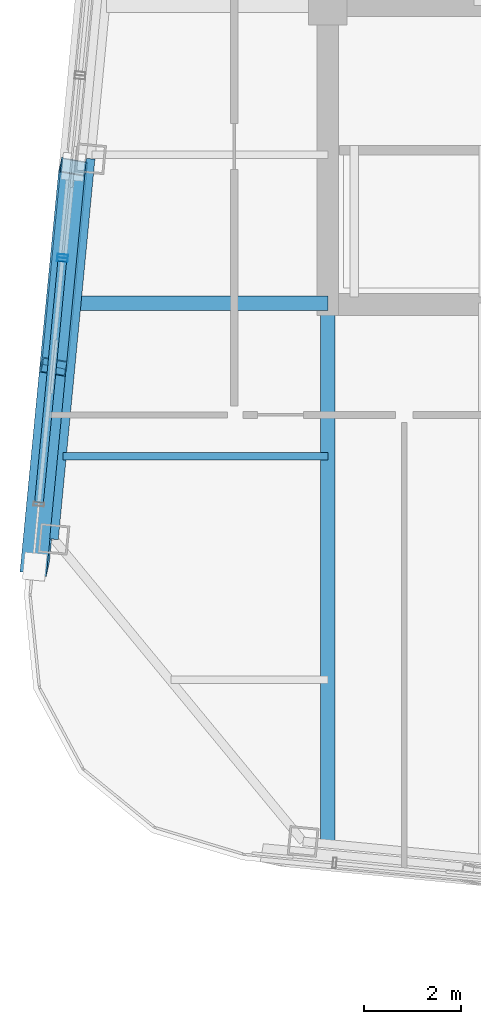
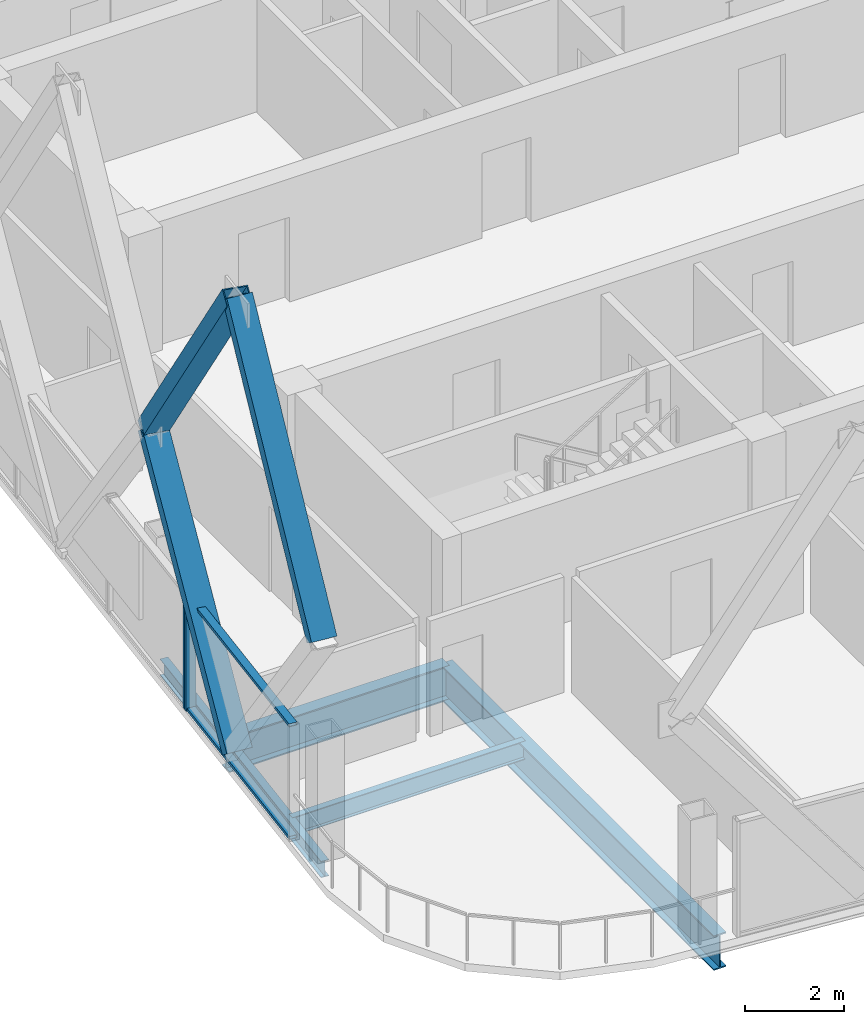
# One storey, part 4 of 25: 7 members, 4 beams, 2 elements without a shape of their own.
"""IFC4 building model written with IfcOpenShell, lengths in metres."""

from ifc_helpers import new_model, si_unit, direction, frame, origin, origin_2d, place, context, subcontext, project, spatial, hollow_rectangle, i_section, extrude, material, layer, layer_set, material_profile, profile_set, type_object, element, aggregate, save


model = new_model("IFC4")

# Units and contexts
model_context = context("Model", 3, precision=1e-05, world=origin(), true_north=direction((0.0, 1.0)))
body_context = subcontext(model_context, "Body", "Model", "MODEL_VIEW")
ifc_project = project(units=[si_unit("LENGTHUNIT", "METRE"), si_unit("AREAUNIT", "SQUARE_METRE"), si_unit("VOLUMEUNIT", "CUBIC_METRE"), si_unit("PLANEANGLEUNIT", "RADIAN"), si_unit("MASSUNIT", "GRAM", prefix="KILO")], contexts=[model_context])

# Site, building, storey
site_placement = place(None, origin())
site = spatial("IfcSite", under=ifc_project, at=site_placement, CompositionType="ELEMENT")
building_placement = place(site_placement, origin())
building = spatial("IfcBuilding", under=site, at=building_placement, Name="Qhalaya Broadcast Tower", CompositionType="ELEMENT")
storey_placement = place(building_placement, frame((0.0, 0.0, 255.050048828125)))
storey = spatial("IfcBuildingStorey", under=building, at=storey_placement, Name="L75", CompositionType="ELEMENT", Elevation=255.050048828125)

# Beam
ifc_material_1 = material(Name="Structural Steel ASTM A992 Grade 50", Category="steel")
ifc_material_profile_1 = material_profile(ifc_material_1, i_section(OverallWidth=0.154052734375, OverallDepth=0.458984375, WebThickness=0.009033203125, FlangeThickness=0.015380859375, at=origin_2d()), Name="W18X46")
ifc_profile_set_1 = profile_set([ifc_material_profile_1], Name="Structural Steel ASTM A992 Grade 50")
beam_type_1 = type_object("IfcBeamType", Name="Composite Floor Joist J04", PredefinedType="JOIST", material=ifc_profile_set_1)
beam_1_placement = place(storey_placement, frame((-14.82568359375, -11.89990234375, -0.41943359375), z_axis=(1.0, 0.0, 0.0), x_axis=(0.0, 1.0, 0.0)))
element("IfcBeam", 1, at=beam_1_placement, inside=storey, type_object=beam_type_1, Name="L75 J04 L75-JWE2W-1", PredefinedType="JOIST", context=body_context, shape_type="SweptSolid", body=[
    extrude(i_section(OverallWidth=0.154052734375, OverallDepth=0.458984375, WebThickness=0.009033203125, FlangeThickness=0.015380859375, at=origin_2d()), origin(), (0.0, 0.0, 1.0), 5.45068359375),
])

# Members
ifc_material_2 = material(Name="Structural Steel ASTM A572 Grade 50", Category="steel")
ifc_material_profile_2 = material_profile(ifc_material_2, hollow_rectangle(XDim=0.3798828125, YDim=0.550048828125, WallThickness=0.02490234375, at=origin_2d()), Name="BOX 380x550x25")
ifc_profile_set_2 = profile_set([ifc_material_profile_2], Name="Structural Steel ASTM A572 Grade 50")
member_type_1 = type_object("IfcMemberType", Name="Exoskeleton Diamond Diagonal Upper EX4", PredefinedType="BRACE", material=ifc_profile_set_2)
member_1_placement = place(storey_placement, frame((-15.01025390625, -10.05859375, 0.35986328125), z_axis=(0.058301925892, 0.605362942159, 0.793811434597), x_axis=(-0.171153078973, -0.777329359739, 0.60536409709)))
element("IfcMember", 2, at=member_1_placement, inside=storey, type_object=member_type_1, Name="B6 Exoskeleton Diamond Brace W3-D1", PredefinedType="BRACE", context=body_context, shape_type="SweptSolid", body=[
    extrude(hollow_rectangle(XDim=0.3798828125, YDim=0.550048828125, WallThickness=0.02490234375, at=origin_2d()), origin(), (0.0, 0.0, 1.0), 6.79638671875),
])
for number, where, z_axis, x_axis, name in (
    (3, (-14.614013671875, -5.9443359375, 5.7548828125), (-0.055161336321, -0.572753444041, 0.817869622443), (0.17344881055, 0.801166493771, 0.572754536758), "B6 Exoskeleton Diamond Brace W3-D3"),
    (4, (-15.406494140625, -14.173095703125, 5.7548828125), (0.055160262532, 0.572776281238, 0.817853701519), (-0.173442755081, -0.801151701204, 0.572777061664), "B6 Exoskeleton Diamond Brace W3-D4"),
):
    element("IfcMember", number, at=place(storey_placement, frame(where, z_axis=z_axis, x_axis=x_axis)), inside=storey, type_object=member_type_1, Name=name, PredefinedType="BRACE", context=body_context, shape_type="SweptSolid", body=[
        extrude(hollow_rectangle(XDim=0.3798828125, YDim=0.550048828125, WallThickness=0.02490234375, at=origin_2d()), origin(), (0.0, 0.0, 1.0), 7.183349609375),
    ])

# Curtain wall, member
ifc_material_3 = material(Name="Solar-Control Low-E Triple Glazing", Category="glass")
ifc_layer_1 = layer(ifc_material_3, 0.219970703125, Name="Solar-Control Low-E Triple Glazing")
ifc_layer_set_1 = layer_set([ifc_layer_1], Name="Solar-Control Low-E Triple Glazing")
curtain_wall_type_1 = type_object("IfcCurtainWallType", Name="High-Altitude Upper-Shaft Triple Low-E Curtain Wall CW-04", PredefinedType="NOTDEFINED", material=ifc_layer_set_1)
curtain_wall_1_placement = place(storey_placement, origin())
curtain_wall_1 = element("IfcCurtainWall", 5, at=curtain_wall_1_placement, inside=storey, type_object=curtain_wall_type_1, Name="L75 Unitised Curtain Wall L75-CW-W4", PredefinedType="NOTDEFINED")
ifc_material_4 = material(Name="Anodised Aluminium 6063-T6", Category="aluminium")
ifc_material_profile_3 = material_profile(ifc_material_4, hollow_rectangle(XDim=0.074951171875, YDim=0.219970703125, WallThickness=0.00390625, at=origin_2d()), Name="ALU-MUL 75x220x4")
ifc_profile_set_3 = profile_set([ifc_material_profile_3], Name="Anodised Aluminium 6063-T6")
member_type_2 = type_object("IfcMemberType", Name="Unitised Curtain-Wall Mullion M01", PredefinedType="MULLION", material=ifc_profile_set_3)
member_2_placement = place(storey_placement, frame((-14.8310546875, -7.78125, 0.0), z_axis=(0.0, 0.0, 1.0), x_axis=(-0.095839673292, -0.995396783712, 0.0)))
member_2 = element("IfcMember", 6, at=member_2_placement, type_object=member_type_2, Name="CW-04 mullion 2", PredefinedType="MULLION", context=body_context, shape_type="SweptSolid", body=[
    extrude(hollow_rectangle(XDim=0.074951171875, YDim=0.219970703125, WallThickness=0.00390625, at=origin_2d()), origin(), (0.0, 0.0, 1.0), 2.85986328125),
])
aggregate(curtain_wall_1, [member_2])

# Curtain wall, members
ifc_material_5 = material(Name="Fired Architectural Terracotta", Category="masonry")
ifc_layer_2 = layer(ifc_material_5, 0.219970703125, Name="Fired Architectural Terracotta")
ifc_layer_set_2 = layer_set([ifc_layer_2], Name="Fired Architectural Terracotta")
curtain_wall_type_2 = type_object("IfcCurtainWallType", Name="Block-Cap Unitised Terracotta Spandrel Wall CW-07", PredefinedType="NOTDEFINED", material=ifc_layer_set_2)
curtain_wall_2_placement = place(storey_placement, origin())
curtain_wall_2 = element("IfcCurtainWall", 7, at=curtain_wall_2_placement, inside=storey, type_object=curtain_wall_type_2, Name="L75 Unitised Curtain Wall L75-CW-W5", PredefinedType="NOTDEFINED")
member_3_placement = place(storey_placement, frame((-14.83837890625, -7.855712890625, 0.0), z_axis=(0.0, 0.0, 1.0), x_axis=(-0.095847607498, -0.995396019751, 0.0)))
member_3 = element("IfcMember", 8, at=member_3_placement, type_object=member_type_2, Name="CW-07 mullion 1", PredefinedType="MULLION", context=body_context, shape_type="SweptSolid", body=[
    extrude(hollow_rectangle(XDim=0.074951171875, YDim=0.219970703125, WallThickness=0.00390625, at=origin_2d()), origin(), (0.0, 0.0, 1.0), 2.85986328125),
])
ifc_material_profile_4 = material_profile(ifc_material_4, hollow_rectangle(XDim=0.074951171875, YDim=0.179931640625, WallThickness=0.00390625, at=origin_2d()), Name="ALU-TRN 75x180x4")
ifc_profile_set_4 = profile_set([ifc_material_profile_4], Name="Anodised Aluminium 6063-T6")
member_type_3 = type_object("IfcMemberType", Name="Unitised Curtain-Wall Transom T01", PredefinedType="USERDEFINED", material=ifc_profile_set_4)
member_4_placement = place(storey_placement, frame((-14.841796875, -7.89306640625, 0.037353515625), z_axis=(-0.095838509296, -0.995396895784, 0.0), x_axis=(0.0, 0.0, 1.0)))
member_4 = element("IfcMember", 9, at=member_4_placement, type_object=member_type_3, Name="CW-07 transom 1.1", ObjectType="TRANSOM", PredefinedType="USERDEFINED", context=body_context, shape_type="SweptSolid", body=[
    extrude(hollow_rectangle(XDim=0.074951171875, YDim=0.179931640625, WallThickness=0.00390625, at=origin_2d()), origin(), (0.0, 0.0, 1.0), 4.980224609375),
])
member_5_placement = place(storey_placement, frame((-14.841796875, -7.89306640625, 2.822509765625), z_axis=(-0.095838509296, -0.995396895784, 0.0), x_axis=(0.0, 0.0, 1.0)))
member_5 = element("IfcMember", 10, at=member_5_placement, type_object=member_type_3, Name="CW-07 transom 1.2", ObjectType="TRANSOM", PredefinedType="USERDEFINED", context=body_context, shape_type="SweptSolid", body=[
    extrude(hollow_rectangle(XDim=0.074951171875, YDim=0.179931640625, WallThickness=0.00390625, at=origin_2d()), origin(), (0.0, 0.0, 1.0), 4.980224609375),
])
aggregate(curtain_wall_2, [member_3, member_4, member_5])

# Beams
ifc_material_profile_5 = material_profile(ifc_material_1, i_section(OverallWidth=0.2919921875, OverallDepth=0.85888671875, WebThickness=0.01708984375, FlangeThickness=0.031005859375, at=origin_2d()), Name="W33X169")
ifc_profile_set_5 = profile_set([ifc_material_profile_5], Name="Structural Steel ASTM A992 Grade 50")
beam_type_2 = type_object("IfcBeamType", Name="Upper Block Primary Girder PG4", PredefinedType="USERDEFINED", material=ifc_profile_set_5)
beam_2_placement = place(storey_placement, frame((-9.375, -19.857421875, -0.61962890625), z_axis=(0.0, 1.0, 0.0), x_axis=(-1.0, 0.0, 0.0)))
element("IfcBeam", 11, at=beam_2_placement, inside=storey, type_object=beam_type_2, Name="L75 PG4 L75-PGXS1-1", ObjectType="GIRDER", PredefinedType="USERDEFINED", context=body_context, shape_type="SweptSolid", body=[
    extrude(i_section(OverallWidth=0.2919921875, OverallDepth=0.85888671875, WebThickness=0.01708984375, FlangeThickness=0.031005859375, at=origin_2d()), origin(), (0.0, 0.0, 1.0), 11.107421875),
])
beam_3_placement = place(storey_placement, frame((-14.5224609375, -8.75, -0.61962890625), z_axis=(1.0, 0.0, 0.0), x_axis=(0.0, 1.0, 0.0)))
element("IfcBeam", 12, at=beam_3_placement, inside=storey, type_object=beam_type_2, Name="L75 PG4 L75-PGYW1-1", ObjectType="GIRDER", PredefinedType="USERDEFINED", context=body_context, shape_type="SweptSolid", body=[
    extrude(i_section(OverallWidth=0.2919921875, OverallDepth=0.85888671875, WebThickness=0.01708984375, FlangeThickness=0.031005859375, at=origin_2d()), origin(), (0.0, 0.0, 1.0), 5.1474609375),
])
ifc_material_profile_6 = material_profile(ifc_material_1, i_section(OverallWidth=0.177978515625, OverallDepth=0.406005859375, WebThickness=0.0078125, FlangeThickness=0.0126953125, at=origin_2d()), Name="W16X40")
ifc_profile_set_6 = profile_set([ifc_material_profile_6], Name="Structural Steel ASTM A992 Grade 50")
beam_type_3 = type_object("IfcBeamType", Name="Upper Perimeter Spandrel Beam SP2", PredefinedType="SPANDREL", material=ifc_profile_set_6)
beam_4_placement = place(storey_placement, frame((-14.25634765625, -5.77783203125, -0.39306640625), z_axis=(-0.095864972855, -0.995394347472, 0.0), x_axis=(0.995394347472, -0.095864972855, 0.0)))
element("IfcBeam", 13, at=beam_4_placement, inside=storey, type_object=beam_type_3, Name="L75 SP2 L75-SPR-15", PredefinedType="SPANDREL", context=body_context, shape_type="SweptSolid", body=[
    extrude(i_section(OverallWidth=0.177978515625, OverallDepth=0.406005859375, WebThickness=0.0078125, FlangeThickness=0.0126953125, at=origin_2d()), origin(), (0.0, 0.0, 1.0), 7.86669921875),
])

save(model, "model.ifc")
